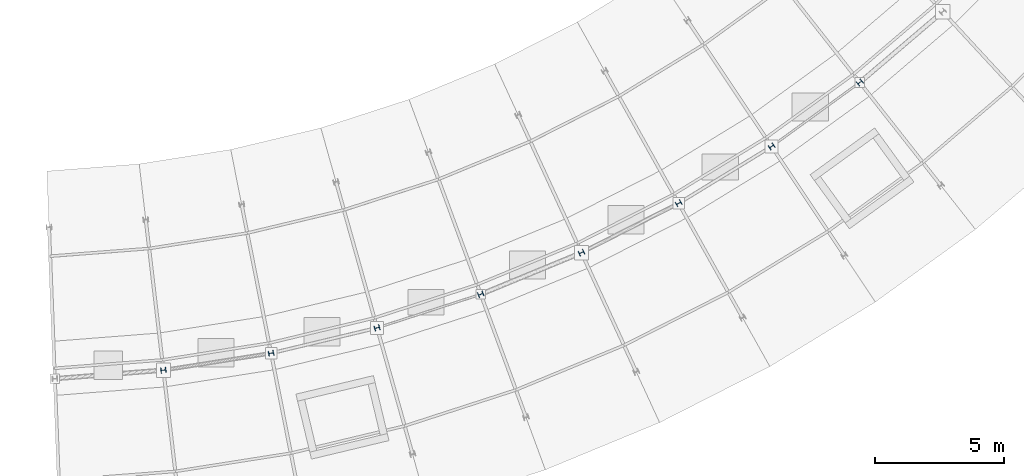
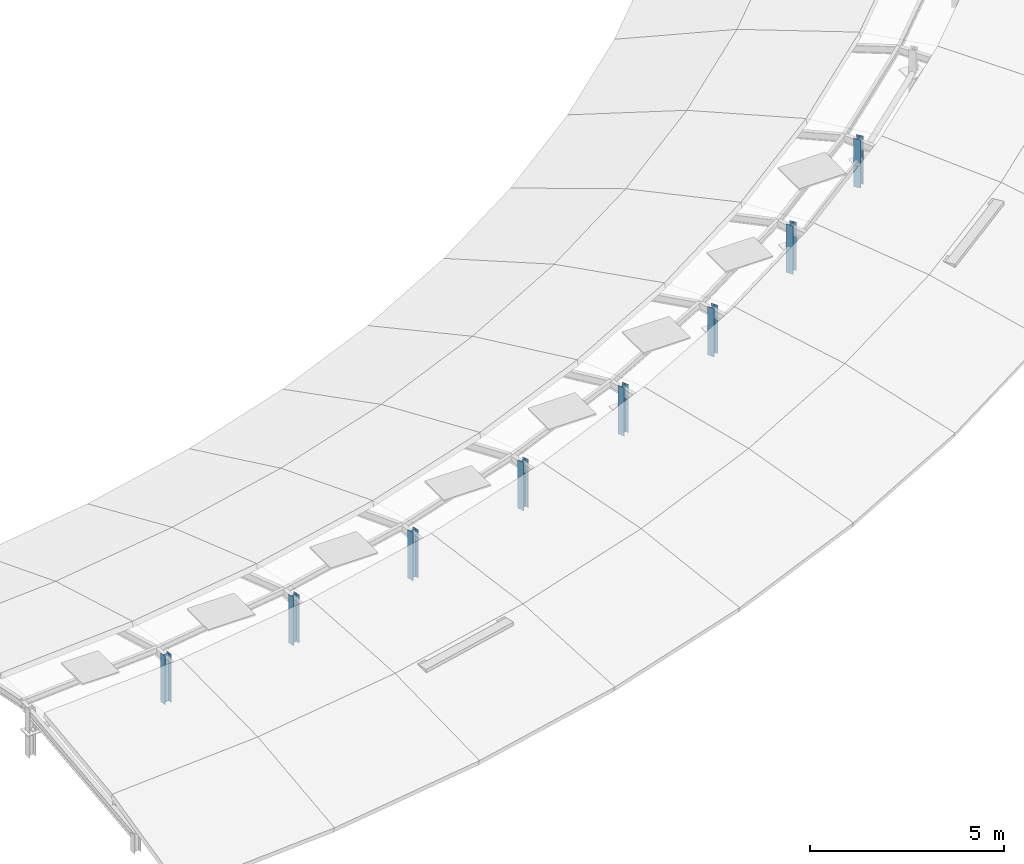
# One storey, part 4 of 50: 8 columns.
"""IFC4 building model written with IfcOpenShell, lengths in metres."""

from ifc_helpers import new_model, si_unit, direction, frame, origin, origin_2d, place, context, subcontext, project, spatial, i_section, extrude, material, material_profile, profile_set, type_object, element, save


model = new_model("IFC4")

# Units and contexts
model_context = context("Model", 3, precision=1e-05, world=origin(), true_north=direction((0.0, 1.0)))
body_context = subcontext(model_context, "Body", "Model", "MODEL_VIEW")
ifc_project = project(units=[si_unit("LENGTHUNIT", "METRE"), si_unit("AREAUNIT", "SQUARE_METRE"), si_unit("VOLUMEUNIT", "CUBIC_METRE"), si_unit("PLANEANGLEUNIT", "RADIAN"), si_unit("MASSUNIT", "GRAM", prefix="KILO")], contexts=[model_context])

# Site, building, storey
site_placement = place(None, origin())
site = spatial("IfcSite", under=ifc_project, at=site_placement, CompositionType="ELEMENT")
building_placement = place(site_placement, origin())
building = spatial("IfcBuilding", under=site, at=building_placement, Name="Zimvara Arc Housing Community", CompositionType="ELEMENT")
storey_placement = place(building_placement, frame((0.0, 0.0, 26.699951171875)))
storey = spatial("IfcBuildingStorey", under=building, at=storey_placement, Name="L08", CompositionType="ELEMENT", Elevation=26.699951171875)

# Columns
ifc_material = material(Name="Steel S355", Category="steel")
ifc_material_profile = material_profile(ifc_material, i_section(OverallWidth=0.199951171875, OverallDepth=0.199951171875, WebThickness=0.009033203125, FlangeThickness=0.014892578125, FilletRadius=0.01806640625, at=origin_2d()), Name="HEB 200")
ifc_profile_set = profile_set([ifc_material_profile], Name="Steel S355")
column_type = type_object("IfcColumnType", Name="COL-ST-HEB200", PredefinedType="COLUMN", material=ifc_profile_set)
for number, where, z_axis, x_axis, name in (
    (1, (132.2568359375, 56.427490234375, 0.0), (0.0, 0.0, 1.0), (0.116670737099, -0.993170649538, 0.0), "col:blkD:L08:ribpost2:g1"),
    (2, (136.4296875, 57.084716796875, 0.0), (0.0, 0.0, 1.0), (0.19423435122, -0.980955155349, 0.0), "col:blkD:L08:ribpost2:g2"),
    (3, (140.538330078125, 58.067138671875, 0.0), (0.0, 0.0, 1.0), (0.270600445976, -0.962691746426, 0.0), "col:blkD:L08:ribpost2:g3"),
    (4, (144.55712890625, 59.369140625, 0.0), (0.0, 0.0, 1.0), (0.345298198999, -0.93849302276, 0.0), "col:blkD:L08:ribpost2:g4"),
    (5, (148.461181640625, 60.982177734375, 0.0), (0.0, 0.0, 1.0), (0.417867073801, -0.908508177527, 0.0), "col:blkD:L08:ribpost2:g5"),
    (6, (152.226806640625, 62.896728515625, 0.0), (0.0, 0.0, 1.0), (0.487859659139, -0.87292207727, 0.0), "col:blkD:L08:ribpost2:g6"),
    (7, (155.83056640625, 65.100830078125, 0.0), (0.0, 0.0, 1.0), (0.554844427448, -0.83195412213, 0.0), "col:blkD:L08:ribpost2:g7"),
    (8, (159.25048828125, 67.580810546875, 0.0), (0.0, 0.0, 1.0), (0.618408395358, -0.785856893175, 0.0), "col:blkD:L08:ribpost2:g8"),
):
    element("IfcColumn", number, at=place(storey_placement, frame(where, z_axis=z_axis, x_axis=x_axis)), inside=storey, type_object=column_type, Name=name, PredefinedType="COLUMN", context=body_context, shape_type="SweptSolid", body=[
        extrude(i_section(OverallWidth=0.199951171875, OverallDepth=0.199951171875, WebThickness=0.009033203125, FlangeThickness=0.014892578125, FilletRadius=0.01806640625, at=origin_2d()), origin(), (0.0, 0.0, 1.0), 1.51513671875),
    ])

save(model, "model.ifc")
